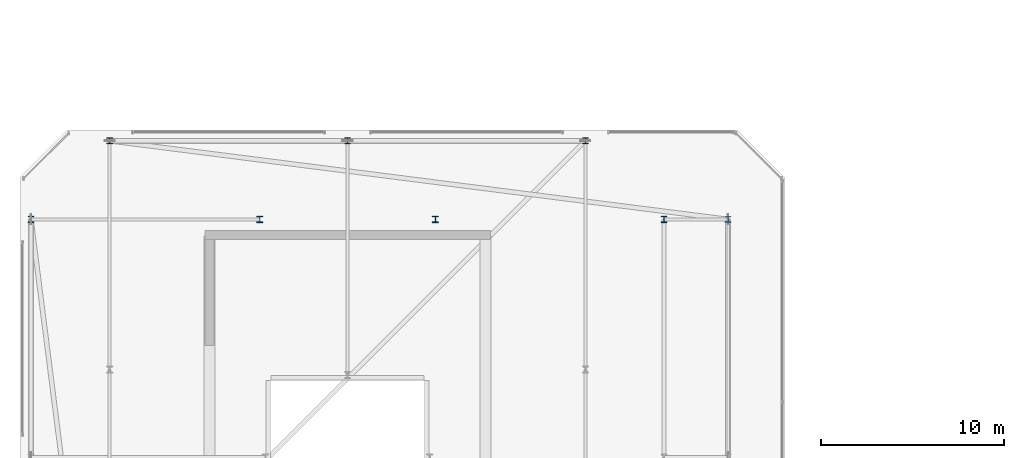
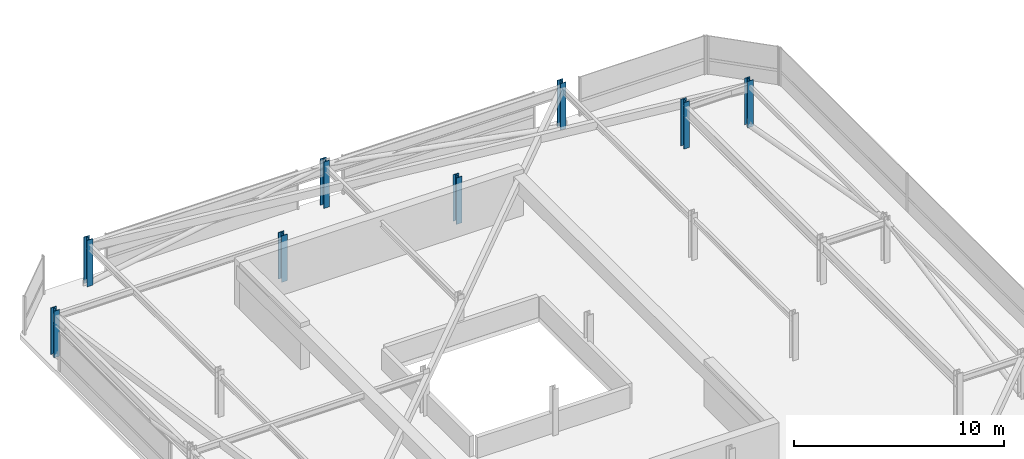
# One storey, part 3 of 42: 8 columns.
"""IFC4 building model written with IfcOpenShell, lengths in metres."""

import ifcopenshell
import ifcopenshell.guid

model = None  # the IFC model being written
_history = None  # IfcOwnerHistory: only IFC2X3 demands one
_inside = {}  # id of a spatial element -> (the spatial element, [elements in it])
_under = {}  # id of a project, library or spatial element -> (it, [spatial elements below it])
_declared = {}  # id of a project -> (the project, [libraries it declares])
_typed = {}  # id of a type object -> (the type object, [elements of that type])
_made_of = {}  # id of a material, layer set ... -> (it, [elements and type objects made of it])


def new_model(schema):
    """Start an empty IFC model of exactly this schema.

    Asked for "IFC4X3", IfcOpenShell would pick the latest addendum, in which some entities
    have other attributes; the version numbers below select the first issue.
    IFC2X3 requires an IfcOwnerHistory on every rooted entity: one is made here for all.
    """
    global model, _history
    if schema == "IFC4X3":
        model = ifcopenshell.file(schema_version=(4, 3, 0, 0))
    else:
        model = ifcopenshell.file(schema=schema)
    _inside.clear()
    _under.clear()
    _declared.clear()
    _typed.clear()
    _made_of.clear()
    _history = None
    if model.schema == "IFC2X3":
        org = make("IfcOrganization", Name="unknown")
        user = make(
            "IfcPersonAndOrganization",
            ThePerson=make("IfcPerson", FamilyName="unknown"),
            TheOrganization=org,
        )
        app = make(
            "IfcApplication",
            ApplicationDeveloper=org,
            Version="unknown",
            ApplicationFullName="unknown",
            ApplicationIdentifier="unknown",
        )
        _history = make(
            "IfcOwnerHistory",
            OwningUser=user,
            OwningApplication=app,
            ChangeAction="ADDED",
            CreationDate=0,
        )
    return model


def make(cls, **values):
    """One entity of the class cls with the attributes given. An attribute that is None is left unset."""
    return model.create_entity(
        cls, **{name: value for name, value in values.items() if value is not None}
    )


def rooted(cls, **values):
    """An entity with a GlobalId (a new one), such as an element, a storey or a relation."""
    return make(cls, GlobalId=ifcopenshell.guid.new(), OwnerHistory=_history, **values)


def si_unit(unit_type, name, prefix=None):
    """IfcSIUnit, for example si_unit("LENGTHUNIT", "METRE", prefix="MILLI")."""
    return make("IfcSIUnit", UnitType=unit_type, Prefix=prefix, Name=name)


def assignment(units):
    """IfcUnitAssignment: the units of a project."""
    return None if units is None else make("IfcUnitAssignment", Units=units)


def point(xyz):
    """IfcCartesianPoint."""
    return None if xyz is None else make("IfcCartesianPoint", Coordinates=xyz)


def direction(xyz):
    """IfcDirection."""
    return None if xyz is None else make("IfcDirection", DirectionRatios=xyz)


def frame(location, z_axis=None, x_axis=None):
    """IfcAxis2Placement3D, a coordinate frame: its origin and axes. An axis left out is left unset."""
    return make(
        "IfcAxis2Placement3D",
        Location=point(location),
        Axis=direction(z_axis),
        RefDirection=direction(x_axis),
    )


def frame_2d(location, x_axis=None):
    """IfcAxis2Placement2D, a coordinate frame in the plane: its origin and x axis."""
    return make(
        "IfcAxis2Placement2D", Location=point(location), RefDirection=direction(x_axis)
    )


def origin():
    """The frame at (0, 0, 0) with its axes left unset."""
    return frame((0.0, 0.0, 0.0))


def origin_2d():
    """The frame at (0, 0) in the plane with its x axis left unset."""
    return frame_2d((0.0, 0.0))


def place(relative_to, where):
    """IfcLocalPlacement: puts the frame where relative to a parent placement (None: the world)."""
    return make(
        "IfcLocalPlacement", PlacementRelTo=relative_to, RelativePlacement=where
    )


def context(
    kind, dimensions, precision=None, world=None, true_north=None, identifier=None
):
    """IfcGeometricRepresentationContext, for example the 3D "Model" context."""
    return make(
        "IfcGeometricRepresentationContext",
        ContextIdentifier=identifier,
        ContextType=kind,
        CoordinateSpaceDimension=dimensions,
        Precision=precision,
        WorldCoordinateSystem=world,
        TrueNorth=true_north,
    )


def subcontext(parent, identifier, kind, view, scale=None):
    """IfcGeometricRepresentationSubContext, for example "Body" below "Model"."""
    return make(
        "IfcGeometricRepresentationSubContext",
        ContextIdentifier=identifier,
        ContextType=kind,
        ParentContext=parent,
        TargetScale=scale,
        TargetView=view,
    )


def project(units=None, contexts=None):
    """IfcProject with its units and contexts."""
    return rooted(
        "IfcProject",
        Name="project",
        RepresentationContexts=contexts,
        UnitsInContext=assignment(units),
    )


def spatial(cls, under=None, at=None, **own):
    """A site, building, storey or space (cls), placed at a placement, below another one or the project."""
    s = rooted(cls, ObjectPlacement=at, **own)
    if under is not None:
        _under.setdefault(under.id(), (under, []))[1].append(s)
    return s


def profile(cls, at=None, kind="AREA", **sizes):
    """A parametric profile (cls). Its sizes go by their IFC names, for example OverallWidth=200.0."""
    return make(cls, ProfileType=kind, Position=at, **sizes)


def i_section(**sizes):
    """IfcIShapeProfileDef."""
    return profile("IfcIShapeProfileDef", **sizes)


def extrude(swept, where, along, depth):
    """IfcExtrudedAreaSolid: the profile swept, set in the frame where, extruded along a direction by depth."""
    return make(
        "IfcExtrudedAreaSolid",
        SweptArea=swept,
        Position=where,
        ExtrudedDirection=direction(along),
        Depth=depth,
    )


def shape(context_of_items, identifier, shape_type, items):
    """IfcShapeRepresentation: the items that make up one representation, for example the "Body"."""
    return make(
        "IfcShapeRepresentation",
        ContextOfItems=context_of_items,
        RepresentationIdentifier=identifier,
        RepresentationType=shape_type,
        Items=items,
    )


def material(Name=None, Category=None):
    """IfcMaterial."""
    return make("IfcMaterial", Name=Name, Category=Category)


def material_profile(
    of_material, cross_section, Name=None, Category=None, Priority=None
):
    """IfcMaterialProfile: a cross section and its material."""
    return make(
        "IfcMaterialProfile",
        Name=Name,
        Material=of_material,
        Profile=cross_section,
        Priority=Priority,
        Category=Category,
    )


def profile_set(profiles, Name=None, composite=None):
    """IfcMaterialProfileSet."""
    return make(
        "IfcMaterialProfileSet",
        Name=Name,
        MaterialProfiles=profiles,
        CompositeProfile=composite,
    )


def made_of(thing, what):
    """Note that an element or type object is made of a material, layer set ...; save() writes the relation."""
    if what is not None:
        _made_of.setdefault(what.id(), (what, []))[1].append(thing)
    return thing


def type_object(cls, material=None, **own):
    """A type object (cls), such as IfcWallType, which elements share."""
    return made_of(rooted(cls, **own), material)


def element(
    cls,
    number,
    at=None,
    inside=None,
    cuts=None,
    type_object=None,
    material=None,
    context=None,
    identifier="Body",
    shape_type=None,
    held_by="IfcProductDefinitionShape",
    body=None,
    shapes=None,
    **own,
):
    """One element of the class cls, such as IfcWall. Its Tag is "e" and its number.

    at: its placement. inside: the storey or other place that contains it. cuts: it is an
    opening in that element (IfcRelVoidsElement). A single representation is given by context,
    identifier, shape_type and body (its items); several are given by shapes. held_by: the class
    of the entity that holds the representations. save() writes the other relations.
    """
    e = rooted(cls, Tag="e%d" % number, ObjectPlacement=at, **own)
    if body is not None:
        shapes = [shape(context, identifier, shape_type, body)]
    if shapes is not None:
        e.Representation = make(held_by, Representations=shapes)
    if inside is not None:
        _inside.setdefault(inside.id(), (inside, []))[1].append(e)
    if cuts is not None:
        rooted(
            "IfcRelVoidsElement", RelatingBuildingElement=cuts, RelatedOpeningElement=e
        )
    if type_object is not None:
        _typed.setdefault(type_object.id(), (type_object, []))[1].append(e)
    return made_of(e, material)


def aggregate(whole, parts):
    """IfcRelAggregates: a whole, such as a stair, and the parts it consists of."""
    return rooted("IfcRelAggregates", RelatingObject=whole, RelatedObjects=parts)


def save(model, path):
    """Write the relations noted so far, then the file.

    IfcRelAggregates (storeys below a building ...), IfcRelContainedInSpatialStructure (elements
    in a storey), IfcRelDefinesByType, IfcRelAssociatesMaterial and IfcRelDeclares: one each for
    every whole, place, type object, material and project.
    """
    for whole, parts in _under.values():
        aggregate(whole, parts)
    for where, things in _inside.values():
        rooted(
            "IfcRelContainedInSpatialStructure",
            RelatedElements=things,
            RelatingStructure=where,
        )
    for kind, things in _typed.values():
        rooted("IfcRelDefinesByType", RelatedObjects=things, RelatingType=kind)
    for what, things in _made_of.values():
        rooted("IfcRelAssociatesMaterial", RelatedObjects=things, RelatingMaterial=what)
    for by, libraries in _declared.values():
        rooted("IfcRelDeclares", RelatingContext=by, RelatedDefinitions=libraries)
    model.write(path)


model = new_model("IFC4")

# Units and contexts
model_context = context("Model", 3, precision=1e-05, world=origin(), true_north=direction((0.0, 1.0)))
body_context = subcontext(model_context, "Body", "Model", "MODEL_VIEW")
ifc_project = project(units=[si_unit("LENGTHUNIT", "METRE"), si_unit("AREAUNIT", "SQUARE_METRE"), si_unit("VOLUMEUNIT", "CUBIC_METRE"), si_unit("PLANEANGLEUNIT", "RADIAN"), si_unit("MASSUNIT", "GRAM", prefix="KILO")], contexts=[model_context])

# Site, building, storey
site_placement = place(None, origin())
site = spatial("IfcSite", under=ifc_project, at=site_placement, CompositionType="ELEMENT")
building_placement = place(site_placement, origin())
building = spatial("IfcBuilding", under=site, at=building_placement, Name="Thornwick Lancets Civic Towers", CompositionType="ELEMENT")
storey_placement = place(building_placement, frame((0.0, 0.0, 286.800048828125)))
storey = spatial("IfcBuildingStorey", under=building, at=storey_placement, Name="C03", CompositionType="ELEMENT", Elevation=286.800048828125)

# Columns
ifc_material = material(Name="Steel S355JR", Category="steel")
ifc_material_profile_1 = material_profile(ifc_material, i_section(OverallWidth=0.30908203125, OverallDepth=0.320556640625, WebThickness=0.013916015625, FlangeThickness=0.021728515625, FilletRadius=0.01513671875, at=origin_2d()), Name="UKC 305x305x137")
ifc_profile_set_1 = profile_set([ifc_material_profile_1], Name="Steel S355JR")
column_type_1 = type_object("IfcColumnType", Name="COL_UKC_137", PredefinedType="COLUMN", material=ifc_profile_set_1)
column_placement = place(storey_placement, frame((46.300048828125, 40.0, 0.0), z_axis=(0.0, 0.0, 1.0), x_axis=(1.0, 0.0, 0.0)))
element("IfcColumn", 1, at=column_placement, inside=storey, type_object=column_type_1, Name="C03 Block Perimeter Column A06", PredefinedType="COLUMN", context=body_context, shape_type="SweptSolid", body=[
    extrude(i_section(OverallWidth=0.30908203125, OverallDepth=0.320556640625, WebThickness=0.013916015625, FlangeThickness=0.021728515625, FilletRadius=0.01513671875, at=origin_2d()), origin(), (0.0, 0.0, 1.0), 2.699951171875),
])
ifc_material_profile_2 = material_profile(ifc_material, i_section(OverallWidth=0.314453125, OverallDepth=0.33984375, WebThickness=0.01904296875, FlangeThickness=0.031494140625, FilletRadius=0.01513671875, at=origin_2d()), Name="UKC 305x305x198")
ifc_profile_set_2 = profile_set([ifc_material_profile_2], Name="Steel S355JR")
column_type_2 = type_object("IfcColumnType", Name="COL_UKC_198", PredefinedType="COLUMN", material=ifc_profile_set_2)
for number, where, z_axis, x_axis, name in (
    (2, (42.800048828125, 40.0, 0.0), (0.0, 0.0, 1.0), (1.0, 0.0, 0.0), "C03 Spine Mega-Column A06"),
    (3, (12.5, 44.300048828125, 0.0), (0.0, 0.0, 1.0), (1.0, 0.0, 0.0), "C03 Spine Mega-Column A07"),
    (4, (25.5, 44.300048828125, 0.0), (0.0, 0.0, 1.0), (1.0, 0.0, 0.0), "C03 Spine Mega-Column A08"),
    (5, (38.5, 44.300048828125, 0.0), (0.0, 0.0, 1.0), (1.0, 0.0, 0.0), "C03 Spine Mega-Column A09"),
    (6, (8.199951171875, 40.0, 0.0), (0.0, 0.0, 1.0), (1.0, 0.0, 0.0), "C03 Spine Mega-Column A12"),
    (7, (20.699951171875, 40.0, 0.0), (0.0, 0.0, 1.0), (1.0, 0.0, 0.0), "C03 Spine Mega-Column A19"),
    (8, (30.300048828125, 40.0, 0.0), (0.0, 0.0, 1.0), (1.0, 0.0, 0.0), "C03 Spine Mega-Column A20"),
):
    element("IfcColumn", number, at=place(storey_placement, frame(where, z_axis=z_axis, x_axis=x_axis)), inside=storey, type_object=column_type_2, Name=name, PredefinedType="COLUMN", context=body_context, shape_type="SweptSolid", body=[
        extrude(i_section(OverallWidth=0.314453125, OverallDepth=0.33984375, WebThickness=0.01904296875, FlangeThickness=0.031494140625, FilletRadius=0.01513671875, at=origin_2d()), origin(), (0.0, 0.0, 1.0), 2.699951171875),
    ])

save(model, "model.ifc")
